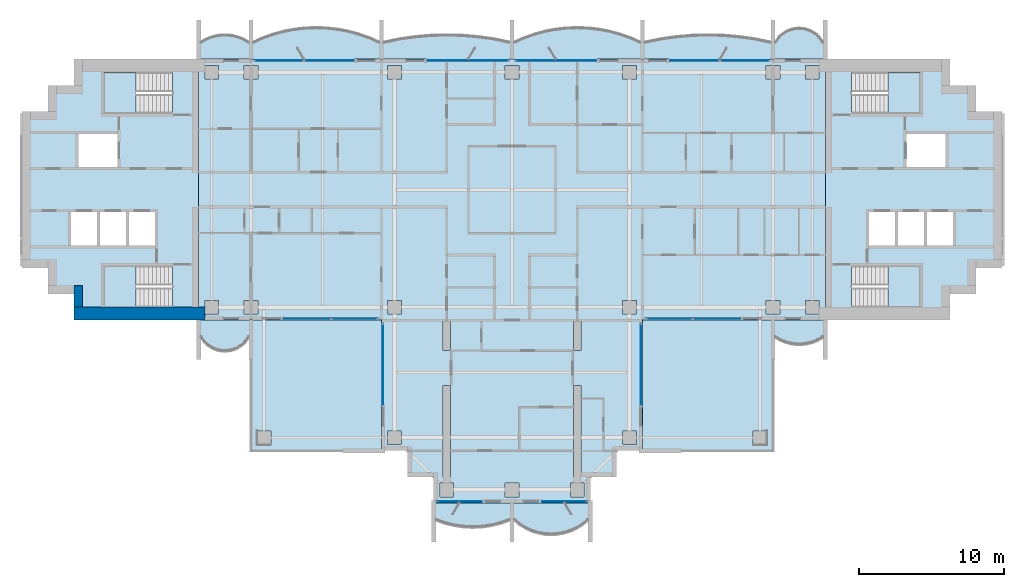
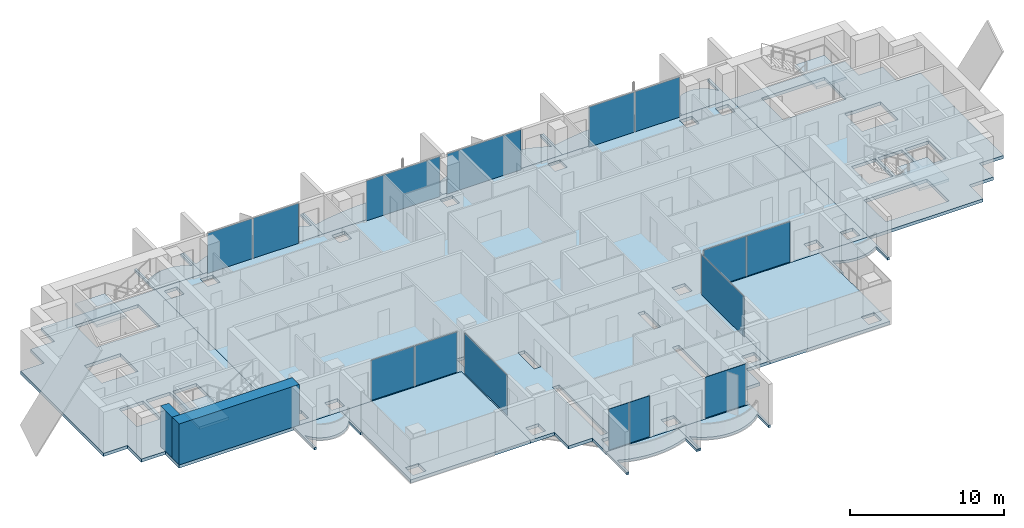
# One storey, part 7 of 17: 19 slabs, 14 plates, 2 walls, 14 elements without a shape of their own.
"""IFC4 building model written with IfcOpenShell, lengths in metres."""

import ifcopenshell
import ifcopenshell.guid

model = None  # the IFC model being written
_history = None  # IfcOwnerHistory: only IFC2X3 demands one
_inside = {}  # id of a spatial element -> (the spatial element, [elements in it])
_under = {}  # id of a project, library or spatial element -> (it, [spatial elements below it])
_declared = {}  # id of a project -> (the project, [libraries it declares])
_typed = {}  # id of a type object -> (the type object, [elements of that type])
_made_of = {}  # id of a material, layer set ... -> (it, [elements and type objects made of it])


def new_model(schema):
    """Start an empty IFC model of exactly this schema.

    Asked for "IFC4X3", IfcOpenShell would pick the latest addendum, in which some entities
    have other attributes; the version numbers below select the first issue.
    IFC2X3 requires an IfcOwnerHistory on every rooted entity: one is made here for all.
    """
    global model, _history
    if schema == "IFC4X3":
        model = ifcopenshell.file(schema_version=(4, 3, 0, 0))
    else:
        model = ifcopenshell.file(schema=schema)
    _inside.clear()
    _under.clear()
    _declared.clear()
    _typed.clear()
    _made_of.clear()
    _history = None
    if model.schema == "IFC2X3":
        org = make("IfcOrganization", Name="unknown")
        user = make(
            "IfcPersonAndOrganization",
            ThePerson=make("IfcPerson", FamilyName="unknown"),
            TheOrganization=org,
        )
        app = make(
            "IfcApplication",
            ApplicationDeveloper=org,
            Version="unknown",
            ApplicationFullName="unknown",
            ApplicationIdentifier="unknown",
        )
        _history = make(
            "IfcOwnerHistory",
            OwningUser=user,
            OwningApplication=app,
            ChangeAction="ADDED",
            CreationDate=0,
        )
    return model


def make(cls, **values):
    """One entity of the class cls with the attributes given. An attribute that is None is left unset."""
    return model.create_entity(
        cls, **{name: value for name, value in values.items() if value is not None}
    )


def rooted(cls, **values):
    """An entity with a GlobalId (a new one), such as an element, a storey or a relation."""
    return make(cls, GlobalId=ifcopenshell.guid.new(), OwnerHistory=_history, **values)


def si_unit(unit_type, name, prefix=None):
    """IfcSIUnit, for example si_unit("LENGTHUNIT", "METRE", prefix="MILLI")."""
    return make("IfcSIUnit", UnitType=unit_type, Prefix=prefix, Name=name)


def assignment(units):
    """IfcUnitAssignment: the units of a project."""
    return None if units is None else make("IfcUnitAssignment", Units=units)


def point(xyz):
    """IfcCartesianPoint."""
    return None if xyz is None else make("IfcCartesianPoint", Coordinates=xyz)


def direction(xyz):
    """IfcDirection."""
    return None if xyz is None else make("IfcDirection", DirectionRatios=xyz)


def frame(location, z_axis=None, x_axis=None):
    """IfcAxis2Placement3D, a coordinate frame: its origin and axes. An axis left out is left unset."""
    return make(
        "IfcAxis2Placement3D",
        Location=point(location),
        Axis=direction(z_axis),
        RefDirection=direction(x_axis),
    )


def frame_2d(location, x_axis=None):
    """IfcAxis2Placement2D, a coordinate frame in the plane: its origin and x axis."""
    return make(
        "IfcAxis2Placement2D", Location=point(location), RefDirection=direction(x_axis)
    )


def origin():
    """The frame at (0, 0, 0) with its axes left unset."""
    return frame((0.0, 0.0, 0.0))


def origin_2d():
    """The frame at (0, 0) in the plane with its x axis left unset."""
    return frame_2d((0.0, 0.0))


def place(relative_to, where):
    """IfcLocalPlacement: puts the frame where relative to a parent placement (None: the world)."""
    return make(
        "IfcLocalPlacement", PlacementRelTo=relative_to, RelativePlacement=where
    )


def context(
    kind, dimensions, precision=None, world=None, true_north=None, identifier=None
):
    """IfcGeometricRepresentationContext, for example the 3D "Model" context."""
    return make(
        "IfcGeometricRepresentationContext",
        ContextIdentifier=identifier,
        ContextType=kind,
        CoordinateSpaceDimension=dimensions,
        Precision=precision,
        WorldCoordinateSystem=world,
        TrueNorth=true_north,
    )


def subcontext(parent, identifier, kind, view, scale=None):
    """IfcGeometricRepresentationSubContext, for example "Body" below "Model"."""
    return make(
        "IfcGeometricRepresentationSubContext",
        ContextIdentifier=identifier,
        ContextType=kind,
        ParentContext=parent,
        TargetScale=scale,
        TargetView=view,
    )


def project(units=None, contexts=None):
    """IfcProject with its units and contexts."""
    return rooted(
        "IfcProject",
        Name="project",
        RepresentationContexts=contexts,
        UnitsInContext=assignment(units),
    )


def spatial(cls, under=None, at=None, **own):
    """A site, building, storey or space (cls), placed at a placement, below another one or the project."""
    s = rooted(cls, ObjectPlacement=at, **own)
    if under is not None:
        _under.setdefault(under.id(), (under, []))[1].append(s)
    return s


def polyline(points):
    """IfcPolyline through the points."""
    return make("IfcPolyline", Points=[point(p) for p in points])


def profile(cls, at=None, kind="AREA", **sizes):
    """A parametric profile (cls). Its sizes go by their IFC names, for example OverallWidth=200.0."""
    return make(cls, ProfileType=kind, Position=at, **sizes)


def rectangle(**sizes):
    """IfcRectangleProfileDef."""
    return profile("IfcRectangleProfileDef", **sizes)


def outline(outer, holes=None, kind="AREA"):
    """IfcArbitraryClosedProfileDef: a profile drawn as a closed curve; with holes, ...WithVoids."""
    if holes is None:
        return make("IfcArbitraryClosedProfileDef", ProfileType=kind, OuterCurve=outer)
    return make(
        "IfcArbitraryProfileDefWithVoids",
        ProfileType=kind,
        OuterCurve=outer,
        InnerCurves=holes,
    )


def extrude(swept, where, along, depth):
    """IfcExtrudedAreaSolid: the profile swept, set in the frame where, extruded along a direction by depth."""
    return make(
        "IfcExtrudedAreaSolid",
        SweptArea=swept,
        Position=where,
        ExtrudedDirection=direction(along),
        Depth=depth,
    )


def shape(context_of_items, identifier, shape_type, items):
    """IfcShapeRepresentation: the items that make up one representation, for example the "Body"."""
    return make(
        "IfcShapeRepresentation",
        ContextOfItems=context_of_items,
        RepresentationIdentifier=identifier,
        RepresentationType=shape_type,
        Items=items,
    )


def material(Name=None, Category=None):
    """IfcMaterial."""
    return make("IfcMaterial", Name=Name, Category=Category)


def layer(
    of_material, thickness, ventilated=None, Name=None, Category=None, Priority=None
):
    """IfcMaterialLayer: one layer of a wall or slab, of a material (None: an air gap)."""
    return make(
        "IfcMaterialLayer",
        Material=of_material,
        LayerThickness=thickness,
        IsVentilated=ventilated,
        Name=Name,
        Category=Category,
        Priority=Priority,
    )


def layer_set(layers, Name=None):
    """IfcMaterialLayerSet."""
    return make("IfcMaterialLayerSet", MaterialLayers=layers, LayerSetName=Name)


def made_of(thing, what):
    """Note that an element or type object is made of a material, layer set ...; save() writes the relation."""
    if what is not None:
        _made_of.setdefault(what.id(), (what, []))[1].append(thing)
    return thing


def type_object(cls, material=None, **own):
    """A type object (cls), such as IfcWallType, which elements share."""
    return made_of(rooted(cls, **own), material)


def element(
    cls,
    number,
    at=None,
    inside=None,
    cuts=None,
    type_object=None,
    material=None,
    context=None,
    identifier="Body",
    shape_type=None,
    held_by="IfcProductDefinitionShape",
    body=None,
    shapes=None,
    **own,
):
    """One element of the class cls, such as IfcWall. Its Tag is "e" and its number.

    at: its placement. inside: the storey or other place that contains it. cuts: it is an
    opening in that element (IfcRelVoidsElement). A single representation is given by context,
    identifier, shape_type and body (its items); several are given by shapes. held_by: the class
    of the entity that holds the representations. save() writes the other relations.
    """
    e = rooted(cls, Tag="e%d" % number, ObjectPlacement=at, **own)
    if body is not None:
        shapes = [shape(context, identifier, shape_type, body)]
    if shapes is not None:
        e.Representation = make(held_by, Representations=shapes)
    if inside is not None:
        _inside.setdefault(inside.id(), (inside, []))[1].append(e)
    if cuts is not None:
        rooted(
            "IfcRelVoidsElement", RelatingBuildingElement=cuts, RelatedOpeningElement=e
        )
    if type_object is not None:
        _typed.setdefault(type_object.id(), (type_object, []))[1].append(e)
    return made_of(e, material)


def aggregate(whole, parts):
    """IfcRelAggregates: a whole, such as a stair, and the parts it consists of."""
    return rooted("IfcRelAggregates", RelatingObject=whole, RelatedObjects=parts)


def save(model, path):
    """Write the relations noted so far, then the file.

    IfcRelAggregates (storeys below a building ...), IfcRelContainedInSpatialStructure (elements
    in a storey), IfcRelDefinesByType, IfcRelAssociatesMaterial and IfcRelDeclares: one each for
    every whole, place, type object, material and project.
    """
    for whole, parts in _under.values():
        aggregate(whole, parts)
    for where, things in _inside.values():
        rooted(
            "IfcRelContainedInSpatialStructure",
            RelatedElements=things,
            RelatingStructure=where,
        )
    for kind, things in _typed.values():
        rooted("IfcRelDefinesByType", RelatedObjects=things, RelatingType=kind)
    for what, things in _made_of.values():
        rooted("IfcRelAssociatesMaterial", RelatedObjects=things, RelatingMaterial=what)
    for by, libraries in _declared.values():
        rooted("IfcRelDeclares", RelatingContext=by, RelatedDefinitions=libraries)
    model.write(path)


model = new_model("IFC4")

# Units and contexts
model_context = context("Model", 3, precision=1e-05, world=origin(), true_north=direction((0.0, 1.0)))
body_context = subcontext(model_context, "Body", "Model", "MODEL_VIEW")
ifc_project = project(units=[si_unit("LENGTHUNIT", "METRE"), si_unit("AREAUNIT", "SQUARE_METRE"), si_unit("VOLUMEUNIT", "CUBIC_METRE"), si_unit("PLANEANGLEUNIT", "RADIAN"), si_unit("MASSUNIT", "GRAM", prefix="KILO")], contexts=[model_context])

# Site, building, storey
site_placement = place(None, origin())
site = spatial("IfcSite", under=ifc_project, at=site_placement, CompositionType="ELEMENT")
building_placement = place(site_placement, origin())
building = spatial("IfcBuilding", under=site, at=building_placement, Name="Perihelion Cross Residences", CompositionType="ELEMENT")
storey_placement = place(building_placement, frame((0.0, 0.0, 180.60009765625)))
storey = spatial("IfcBuildingStorey", under=building, at=storey_placement, Name="L44", CompositionType="ELEMENT", Elevation=180.60009765625)

# Slabs
ifc_material_1 = material(Name="Concrete C40/50", Category="concrete")
ifc_layer_1 = layer(ifc_material_1, 0.199951171875)
ifc_layer_set_1 = layer_set([ifc_layer_1], Name="Balcony slab 200")
slab_type_1 = type_object("IfcSlabType", Name="Balcony slab 200", PredefinedType="FLOOR", material=ifc_layer_set_1)
slab_1_placement = place(storey_placement, frame((0.0, 0.0, -0.2001953125)))
element("IfcSlab", 1, at=slab_1_placement, inside=storey, type_object=slab_type_1, Name="Slab BK1 L44 east side north bay 1 balcony", PredefinedType="FLOOR", context=body_context, shape_type="SweptSolid", body=[
    extrude(outline(polyline([(21.60009765625, 9.0), (18.0, 9.0), (18.0, 11.699951171875), (18.14990234375, 11.699951171875), (18.14990234375, 10.199951171875), (18.425048828125, 10.568603515625), (18.699951171875, 10.806396484375), (18.97509765625, 10.96875), (19.25, 11.07568359375), (19.52490234375, 11.136962890625), (19.800048828125, 11.156982421875), (20.074951171875, 11.136962890625), (20.35009765625, 11.07568359375), (20.625, 10.96875), (20.89990234375, 10.806396484375), (21.175048828125, 10.568603515625), (21.449951171875, 10.199951171875), (21.449951171875, 11.699951171875), (21.60009765625, 11.699951171875), (21.60009765625, 9.0)])), origin(), (0.0, 0.0, 1.0), 0.2001953125),
])
slab_2_placement = place(storey_placement, frame((0.0, 0.0, -0.2001953125)))
element("IfcSlab", 2, at=slab_2_placement, inside=storey, type_object=slab_type_1, Name="Slab BK1 L44 east side north bay 2 balcony", PredefinedType="FLOOR", context=body_context, shape_type="SweptSolid", body=[
    extrude(outline(polyline([(18.0, 9.0), (9.0, 9.0), (9.0, 11.699951171875), (9.14990234375, 11.699951171875), (9.14990234375, 10.199951171875), (10.237548828125, 10.42041015625), (11.324951171875, 10.576171875), (12.41259765625, 10.669189453125), (13.5, 10.699951171875), (14.58740234375, 10.669189453125), (15.675048828125, 10.576171875), (16.762451171875, 10.42041015625), (17.85009765625, 10.199951171875), (17.85009765625, 11.699951171875), (18.0, 11.699951171875), (18.0, 9.0)])), origin(), (0.0, 0.0, 1.0), 0.2001953125),
])
slab_3_placement = place(storey_placement, frame((0.0, 0.0, -0.2001953125)))
element("IfcSlab", 3, at=slab_3_placement, inside=storey, type_object=slab_type_1, Name="Slab BK1 L44 north side east bay 1 balcony", PredefinedType="FLOOR", context=body_context, shape_type="SweptSolid", body=[
    extrude(outline(polyline([(9.0, 9.0), (0.0, 9.0), (0.0, 11.699951171875), (0.14990234375, 11.699951171875), (0.14990234375, 10.199951171875), (0.875, 10.51708984375), (1.60009765625, 10.7685546875), (2.324951171875, 10.959716796875), (3.050048828125, 11.093994140625), (3.77490234375, 11.173583984375), (4.5, 11.199951171875), (5.22509765625, 11.173583984375), (5.949951171875, 11.093994140625), (6.675048828125, 10.959716796875), (7.39990234375, 10.7685546875), (8.125, 10.51708984375), (8.85009765625, 10.199951171875), (8.85009765625, 11.699951171875), (9.0, 11.699951171875), (9.0, 9.0)])), origin(), (0.0, 0.0, 1.0), 0.2001953125),
])
slab_4_placement = place(storey_placement, frame((0.0, 0.0, -0.2001953125)))
element("IfcSlab", 4, at=slab_4_placement, inside=storey, type_object=slab_type_1, Name="Slab BK1 L44 north side east bay 2 balcony", PredefinedType="FLOOR", context=body_context, shape_type="SweptSolid", body=[
    extrude(outline(polyline([(0.0, 9.0), (-9.0, 9.0), (-9.0, 11.699951171875), (-8.85009765625, 11.699951171875), (-8.85009765625, 10.199951171875), (-7.762451171875, 10.42041015625), (-6.675048828125, 10.576171875), (-5.58740234375, 10.669189453125), (-4.5, 10.699951171875), (-3.41259765625, 10.669189453125), (-2.324951171875, 10.576171875), (-1.237548828125, 10.42041015625), (-0.14990234375, 10.199951171875), (-0.14990234375, 11.699951171875), (0.0, 11.699951171875), (0.0, 9.0)])), origin(), (0.0, 0.0, 1.0), 0.2001953125),
])
slab_5_placement = place(storey_placement, frame((0.0, 0.0, -0.2001953125)))
element("IfcSlab", 5, at=slab_5_placement, inside=storey, type_object=slab_type_1, Name="Slab BK1 L44 west side north bay 1 balcony", PredefinedType="FLOOR", context=body_context, shape_type="SweptSolid", body=[
    extrude(outline(polyline([(-9.0, 9.0), (-18.0, 9.0), (-18.0, 11.699951171875), (-17.85009765625, 11.699951171875), (-17.85009765625, 10.199951171875), (-17.125, 10.51708984375), (-16.39990234375, 10.7685546875), (-15.675048828125, 10.959716796875), (-14.949951171875, 11.093994140625), (-14.22509765625, 11.173583984375), (-13.5, 11.199951171875), (-12.77490234375, 11.173583984375), (-12.050048828125, 11.093994140625), (-11.324951171875, 10.959716796875), (-10.60009765625, 10.7685546875), (-9.875, 10.51708984375), (-9.14990234375, 10.199951171875), (-9.14990234375, 11.699951171875), (-9.0, 11.699951171875), (-9.0, 9.0)])), origin(), (0.0, 0.0, 1.0), 0.2001953125),
])
slab_6_placement = place(storey_placement, frame((0.0, 0.0, -0.2001953125)))
element("IfcSlab", 6, at=slab_6_placement, inside=storey, type_object=slab_type_1, Name="Slab BK1 L44 west side north bay 2 balcony", PredefinedType="FLOOR", context=body_context, shape_type="SweptSolid", body=[
    extrude(outline(polyline([(-18.0, 9.0), (-21.60009765625, 9.0), (-21.60009765625, 11.699951171875), (-21.449951171875, 11.699951171875), (-21.449951171875, 10.199951171875), (-21.083251953125, 10.40869140625), (-20.716552734375, 10.55517578125), (-20.35009765625, 10.648681640625), (-19.9833984375, 10.6943359375), (-19.61669921875, 10.6943359375), (-19.25, 10.648681640625), (-18.88330078125, 10.55517578125), (-18.5166015625, 10.40869140625), (-18.14990234375, 10.199951171875), (-18.14990234375, 11.699951171875), (-18.0, 11.699951171875), (-18.0, 9.0)])), origin(), (0.0, 0.0, 1.0), 0.2001953125),
])
slab_7_placement = place(storey_placement, frame((0.0, 0.0, -0.2001953125)))
element("IfcSlab", 7, at=slab_7_placement, inside=storey, type_object=slab_type_1, Name="Slab BK1 L44 west side south bay 1 balcony", PredefinedType="FLOOR", context=body_context, shape_type="SweptSolid", body=[
    extrude(outline(polyline([(-21.60009765625, -9.0), (-18.0, -9.0), (-18.0, -11.699951171875), (-18.14990234375, -11.699951171875), (-18.14990234375, -10.199951171875), (-18.425048828125, -10.568603515625), (-18.699951171875, -10.806396484375), (-18.97509765625, -10.96875), (-19.25, -11.07568359375), (-19.52490234375, -11.136962890625), (-19.800048828125, -11.156982421875), (-20.074951171875, -11.136962890625), (-20.35009765625, -11.07568359375), (-20.625, -10.96875), (-20.89990234375, -10.806396484375), (-21.175048828125, -10.568603515625), (-21.449951171875, -10.199951171875), (-21.449951171875, -11.699951171875), (-21.60009765625, -11.699951171875), (-21.60009765625, -9.0)])), origin(), (0.0, 0.0, 1.0), 0.2001953125),
])
slab_8_placement = place(storey_placement, frame((0.0, 0.0, -0.2001953125)))
element("IfcSlab", 8, at=slab_8_placement, inside=storey, type_object=slab_type_1, Name="Slab BK1 L44 south tip south bay 1 balcony", PredefinedType="FLOOR", context=body_context, shape_type="SweptSolid", body=[
    extrude(outline(polyline([(-5.39990234375, -21.60009765625), (0.0, -21.60009765625), (0.0, -24.300048828125), (-0.14990234375, -24.300048828125), (-0.14990234375, -22.800048828125), (-0.78759765625, -23.0234375), (-1.425048828125, -23.178466796875), (-2.0625, -23.269775390625), (-2.699951171875, -23.300048828125), (-3.33740234375, -23.269775390625), (-3.97509765625, -23.178466796875), (-4.612548828125, -23.0234375), (-5.25, -22.800048828125), (-5.25, -24.300048828125), (-5.39990234375, -24.300048828125), (-5.39990234375, -21.60009765625)])), origin(), (0.0, 0.0, 1.0), 0.2001953125),
])
slab_9_placement = place(storey_placement, frame((0.0, 0.0, -0.2001953125)))
element("IfcSlab", 9, at=slab_9_placement, inside=storey, type_object=slab_type_1, Name="Slab BK1 L44 south tip south bay 2 balcony", PredefinedType="FLOOR", context=body_context, shape_type="SweptSolid", body=[
    extrude(outline(polyline([(0.0, -21.60009765625), (5.39990234375, -21.60009765625), (5.39990234375, -24.300048828125), (5.25, -24.300048828125), (5.25, -22.800048828125), (4.824951171875, -23.14013671875), (4.39990234375, -23.392578125), (3.97509765625, -23.57666015625), (3.550048828125, -23.702392578125), (3.125, -23.77587890625), (2.699951171875, -23.800048828125), (2.27490234375, -23.77587890625), (1.85009765625, -23.702392578125), (1.425048828125, -23.57666015625), (1.0, -23.392578125), (0.574951171875, -23.14013671875), (0.14990234375, -22.800048828125), (0.14990234375, -24.300048828125), (0.0, -24.300048828125), (0.0, -21.60009765625)])), origin(), (0.0, 0.0, 1.0), 0.2001953125),
])
slab_10_placement = place(storey_placement, frame((0.0, 0.0, -0.2001953125)))
element("IfcSlab", 10, at=slab_10_placement, inside=storey, type_object=slab_type_1, Name="Slab BK1 L44 east side south bay 2 balcony", PredefinedType="FLOOR", context=body_context, shape_type="SweptSolid", body=[
    extrude(outline(polyline([(18.0, -9.0), (21.60009765625, -9.0), (21.60009765625, -11.699951171875), (21.449951171875, -11.699951171875), (21.449951171875, -10.199951171875), (21.083251953125, -10.40869140625), (20.716552734375, -10.55517578125), (20.35009765625, -10.648681640625), (19.9833984375, -10.6943359375), (19.61669921875, -10.6943359375), (19.25, -10.648681640625), (18.88330078125, -10.55517578125), (18.5166015625, -10.40869140625), (18.14990234375, -10.199951171875), (18.14990234375, -11.699951171875), (18.0, -11.699951171875), (18.0, -9.0)])), origin(), (0.0, 0.0, 1.0), 0.2001953125),
])

# Curtain wall, plates
ifc_material_2 = material(Name="Bronze anodised aluminium, tinted glazing", Category="aluminium")
curtain_wall_type = type_object("IfcCurtainWallType", Name="CW1", PredefinedType="NOTDEFINED", material=ifc_material_2)
curtain_wall_1_placement = place(storey_placement, origin())
curtain_wall_1 = element("IfcCurtainWall", 11, at=curtain_wall_1_placement, inside=storey, type_object=curtain_wall_type, Name="Curtain wall CW1 L44 east side north bay 2", PredefinedType="NOTDEFINED")
ifc_material_3 = material(Name="Tinted laminated glass", Category="glass")
ifc_layer_2 = layer(ifc_material_3, 0.028076171875)
ifc_layer_set_2 = layer_set([ifc_layer_2], Name="CW1 panel")
plate_type = type_object("IfcPlateType", Name="CW1 panel", PredefinedType="CURTAIN_PANEL", material=ifc_layer_set_2)
plate_1_placement = place(storey_placement, frame((16.06005859375, 8.89990234375, 0.0), z_axis=(0.0, 0.0, 1.0), x_axis=(-1.0, 0.0, 0.0)))
plate_1 = element("IfcPlate", 12, at=plate_1_placement, type_object=plate_type, Name="CW1 panel 1", PredefinedType="CURTAIN_PANEL", context=body_context, shape_type="SweptSolid", body=[
    extrude(rectangle(XDim=3.360107421875, YDim=0.028076171875, at=origin_2d()), origin(), (0.0, 0.0, 1.0), 3.18994140625),
])
plate_2_placement = place(storey_placement, frame((12.610107421875, 8.89990234375, 0.0), z_axis=(0.0, 0.0, 1.0), x_axis=(-1.0, 0.0, 0.0)))
plate_2 = element("IfcPlate", 13, at=plate_2_placement, type_object=plate_type, Name="CW1 panel 2", PredefinedType="CURTAIN_PANEL", context=body_context, shape_type="SweptSolid", body=[
    extrude(rectangle(XDim=3.419921875, YDim=0.028076171875, at=origin_2d()), origin(), (0.0, 0.0, 1.0), 3.18994140625),
])
aggregate(curtain_wall_1, [plate_1, plate_2])

# Curtain wall, plate
curtain_wall_2_placement = place(storey_placement, origin())
curtain_wall_2 = element("IfcCurtainWall", 14, at=curtain_wall_2_placement, inside=storey, type_object=curtain_wall_type, Name="Curtain wall CW1 L44 north side east bay 1", PredefinedType="NOTDEFINED")
plate_3_placement = place(storey_placement, frame((3.04248046875, 8.89990234375, 0.0), z_axis=(0.0, 0.0, 1.0), x_axis=(-1.0, 0.0, 0.0)))
plate_3 = element("IfcPlate", 15, at=plate_3_placement, type_object=plate_type, Name="CW1 panel 1", PredefinedType="CURTAIN_PANEL", context=body_context, shape_type="SweptSolid", body=[
    extrude(rectangle(XDim=5.56494140625, YDim=0.028076171875, at=origin_2d()), origin(), (0.0, 0.0, 1.0), 3.18994140625),
])
aggregate(curtain_wall_2, [plate_3])

curtain_wall_3_placement = place(storey_placement, origin())
curtain_wall_3 = element("IfcCurtainWall", 16, at=curtain_wall_3_placement, inside=storey, type_object=curtain_wall_type, Name="Curtain wall CW1 L44 north side east bay 2", PredefinedType="NOTDEFINED")
plate_4_placement = place(storey_placement, frame((-3.04248046875, 8.89990234375, 0.0), z_axis=(0.0, 0.0, 1.0), x_axis=(-1.0, 0.0, 0.0)))
plate_4 = element("IfcPlate", 17, at=plate_4_placement, type_object=plate_type, Name="CW1 panel 1", PredefinedType="CURTAIN_PANEL", context=body_context, shape_type="SweptSolid", body=[
    extrude(rectangle(XDim=5.56494140625, YDim=0.028076171875, at=origin_2d()), origin(), (0.0, 0.0, 1.0), 3.18994140625),
])
aggregate(curtain_wall_3, [plate_4])

# Curtain wall, plates
curtain_wall_4_placement = place(storey_placement, origin())
curtain_wall_4 = element("IfcCurtainWall", 18, at=curtain_wall_4_placement, inside=storey, type_object=curtain_wall_type, Name="Curtain wall CW1 L44 west side north bay 1", PredefinedType="NOTDEFINED")
plate_5_placement = place(storey_placement, frame((-12.610107421875, 8.89990234375, 0.0), z_axis=(0.0, 0.0, 1.0), x_axis=(-1.0, 0.0, 0.0)))
plate_5 = element("IfcPlate", 19, at=plate_5_placement, type_object=plate_type, Name="CW1 panel 1", PredefinedType="CURTAIN_PANEL", context=body_context, shape_type="SweptSolid", body=[
    extrude(rectangle(XDim=3.419921875, YDim=0.028076171875, at=origin_2d()), origin(), (0.0, 0.0, 1.0), 3.18994140625),
])
plate_6_placement = place(storey_placement, frame((-16.06005859375, 8.89990234375, 0.0), z_axis=(0.0, 0.0, 1.0), x_axis=(-1.0, 0.0, 0.0)))
plate_6 = element("IfcPlate", 20, at=plate_6_placement, type_object=plate_type, Name="CW1 panel 2", PredefinedType="CURTAIN_PANEL", context=body_context, shape_type="SweptSolid", body=[
    extrude(rectangle(XDim=3.360107421875, YDim=0.028076171875, at=origin_2d()), origin(), (0.0, 0.0, 1.0), 3.18994140625),
])
aggregate(curtain_wall_4, [plate_5, plate_6])

curtain_wall_5_placement = place(storey_placement, origin())
curtain_wall_5 = element("IfcCurtainWall", 21, at=curtain_wall_5_placement, inside=storey, type_object=curtain_wall_type, Name="Curtain wall CW1 L44 west side south bay 2", PredefinedType="NOTDEFINED")
plate_7_placement = place(storey_placement, frame((-14.108642578125, -8.89990234375, 0.0), z_axis=(0.0, 0.0, 1.0), x_axis=(1.0, 0.0, 0.0)))
plate_7 = element("IfcPlate", 22, at=plate_7_placement, type_object=plate_type, Name="CW1 panel 1", PredefinedType="CURTAIN_PANEL", context=body_context, shape_type="SweptSolid", body=[
    extrude(rectangle(XDim=3.232421875, YDim=0.028076171875, at=origin_2d()), origin(), (0.0, 0.0, 1.0), 3.18994140625),
])
plate_8_placement = place(storey_placement, frame((-10.84619140625, -8.89990234375, 0.0), z_axis=(0.0, 0.0, 1.0), x_axis=(1.0, 0.0, 0.0)))
plate_8 = element("IfcPlate", 23, at=plate_8_placement, type_object=plate_type, Name="CW1 panel 2", PredefinedType="CURTAIN_PANEL", context=body_context, shape_type="SweptSolid", body=[
    extrude(rectangle(XDim=3.172607421875, YDim=0.028076171875, at=origin_2d()), origin(), (0.0, 0.0, 1.0), 3.18994140625),
])
aggregate(curtain_wall_5, [plate_7, plate_8])

# Curtain wall, plate
curtain_wall_6_placement = place(storey_placement, origin())
curtain_wall_6 = element("IfcCurtainWall", 24, at=curtain_wall_6_placement, inside=storey, type_object=curtain_wall_type, Name="Curtain wall CW1 L44 south side west bay 1", PredefinedType="NOTDEFINED")
plate_9_placement = place(storey_placement, frame((-8.89990234375, -12.04248046875, 0.0), z_axis=(0.0, 0.0, 1.0), x_axis=(0.0, -1.0, 0.0)))
plate_9 = element("IfcPlate", 25, at=plate_9_placement, type_object=plate_type, Name="CW1 panel 1", PredefinedType="CURTAIN_PANEL", context=body_context, shape_type="SweptSolid", body=[
    extrude(rectangle(XDim=5.56494140625, YDim=0.028076171875, at=origin_2d()), origin(), (0.0, 0.0, 1.0), 3.18994140625),
])
aggregate(curtain_wall_6, [plate_9])

curtain_wall_7_placement = place(storey_placement, origin())
curtain_wall_7 = element("IfcCurtainWall", 26, at=curtain_wall_7_placement, inside=storey, type_object=curtain_wall_type, Name="Curtain wall CW1 L44 south tip south bay 1", PredefinedType="NOTDEFINED")
plate_10_placement = place(storey_placement, frame((-3.607421875, -21.5, 0.0), z_axis=(0.0, 0.0, 1.0), x_axis=(1.0, 0.0, 0.0)))
plate_10 = element("IfcPlate", 27, at=plate_10_placement, type_object=plate_type, Name="CW1 panel 1", PredefinedType="CURTAIN_PANEL", context=body_context, shape_type="SweptSolid", body=[
    extrude(rectangle(XDim=3.06494140625, YDim=0.028076171875, at=origin_2d()), origin(), (0.0, 0.0, 1.0), 3.25),
])
aggregate(curtain_wall_7, [plate_10])

curtain_wall_8_placement = place(storey_placement, origin())
curtain_wall_8 = element("IfcCurtainWall", 28, at=curtain_wall_8_placement, inside=storey, type_object=curtain_wall_type, Name="Curtain wall CW1 L44 south tip south bay 2", PredefinedType="NOTDEFINED")
plate_11_placement = place(storey_placement, frame((3.607421875, -21.5, 0.0), z_axis=(0.0, 0.0, 1.0), x_axis=(1.0, 0.0, 0.0)))
plate_11 = element("IfcPlate", 29, at=plate_11_placement, type_object=plate_type, Name="CW1 panel 1", PredefinedType="CURTAIN_PANEL", context=body_context, shape_type="SweptSolid", body=[
    extrude(rectangle(XDim=3.06494140625, YDim=0.028076171875, at=origin_2d()), origin(), (0.0, 0.0, 1.0), 3.25),
])
aggregate(curtain_wall_8, [plate_11])

curtain_wall_9_placement = place(storey_placement, origin())
curtain_wall_9 = element("IfcCurtainWall", 30, at=curtain_wall_9_placement, inside=storey, type_object=curtain_wall_type, Name="Curtain wall CW1 L44 south side east bay 1", PredefinedType="NOTDEFINED")
plate_12_placement = place(storey_placement, frame((8.89990234375, -12.04248046875, 0.0), z_axis=(0.0, 0.0, 1.0), x_axis=(0.0, 1.0, 0.0)))
plate_12 = element("IfcPlate", 31, at=plate_12_placement, type_object=plate_type, Name="CW1 panel 1", PredefinedType="CURTAIN_PANEL", context=body_context, shape_type="SweptSolid", body=[
    extrude(rectangle(XDim=5.56494140625, YDim=0.028076171875, at=origin_2d()), origin(), (0.0, 0.0, 1.0), 3.18994140625),
])
aggregate(curtain_wall_9, [plate_12])

# Curtain wall, plates
curtain_wall_10_placement = place(storey_placement, origin())
curtain_wall_10 = element("IfcCurtainWall", 32, at=curtain_wall_10_placement, inside=storey, type_object=curtain_wall_type, Name="Curtain wall CW1 L44 east side south bay 1", PredefinedType="NOTDEFINED")
plate_13_placement = place(storey_placement, frame((10.84619140625, -8.89990234375, 0.0), z_axis=(0.0, 0.0, 1.0), x_axis=(1.0, 0.0, 0.0)))
plate_13 = element("IfcPlate", 33, at=plate_13_placement, type_object=plate_type, Name="CW1 panel 1", PredefinedType="CURTAIN_PANEL", context=body_context, shape_type="SweptSolid", body=[
    extrude(rectangle(XDim=3.172607421875, YDim=0.028076171875, at=origin_2d()), origin(), (0.0, 0.0, 1.0), 3.18994140625),
])
plate_14_placement = place(storey_placement, frame((14.108642578125, -8.89990234375, 0.0), z_axis=(0.0, 0.0, 1.0), x_axis=(1.0, 0.0, 0.0)))
plate_14 = element("IfcPlate", 34, at=plate_14_placement, type_object=plate_type, Name="CW1 panel 2", PredefinedType="CURTAIN_PANEL", context=body_context, shape_type="SweptSolid", body=[
    extrude(rectangle(XDim=3.232421875, YDim=0.028076171875, at=origin_2d()), origin(), (0.0, 0.0, 1.0), 3.18994140625),
])
aggregate(curtain_wall_10, [plate_13, plate_14])

# Slabs
ifc_material_4 = material(Name="Concrete C40/50", Category="concrete")
ifc_layer_3 = layer(ifc_material_4, 0.25)
ifc_layer_set_3 = layer_set([ifc_layer_3], Name="Core floor slab 250")
slab_type_2 = type_object("IfcSlabType", Name="Core floor slab 250", PredefinedType="FLOOR", material=ifc_layer_set_3)
slab_11_placement = place(storey_placement, frame((0.0, 0.0, -0.25)))
element("IfcSlab", 35, at=slab_11_placement, inside=storey, type_object=slab_type_2, Name="East core floor slab", PredefinedType="FLOOR", context=body_context, shape_type="SweptSolid", body=[
    extrude(outline(polyline([(30.199951171875, 7.199951171875), (32.0, 7.199951171875), (32.0, 5.39990234375), (33.800048828125, 5.39990234375), (33.800048828125, -5.39990234375), (32.0, -5.39990234375), (32.0, -7.199951171875), (30.199951171875, -7.199951171875), (30.199951171875, -9.0), (21.60009765625, -9.0), (21.60009765625, 9.0), (30.199951171875, 9.0), (30.199951171875, 7.199951171875)]), holes=[polyline([(28.14990234375, -8.10009765625), (28.14990234375, -5.25), (23.405029296875, -5.25), (23.405029296875, -8.10009765625), (28.14990234375, -8.10009765625)]), polyline([(24.60009765625, -1.550048828125), (24.60009765625, -3.85009765625), (26.39990234375, -3.85009765625), (26.39990234375, -1.550048828125), (24.60009765625, -1.550048828125)]), polyline([(26.60009765625, -1.550048828125), (26.60009765625, -3.85009765625), (28.39990234375, -3.85009765625), (28.39990234375, -1.550048828125), (26.60009765625, -1.550048828125)]), polyline([(28.60009765625, -3.85009765625), (30.39990234375, -3.85009765625), (30.39990234375, -1.550048828125), (28.60009765625, -1.550048828125), (28.60009765625, -3.85009765625)]), polyline([(27.199951171875, 3.85009765625), (27.199951171875, 1.550048828125), (29.89990234375, 1.550048828125), (29.89990234375, 3.85009765625), (27.199951171875, 3.85009765625)]), polyline([(23.405029296875, 5.25), (28.14990234375, 5.25), (28.14990234375, 8.10009765625), (23.405029296875, 8.10009765625), (23.405029296875, 5.25)])]), origin(), (0.0, 0.0, 1.0), 0.25),
])
slab_12_placement = place(storey_placement, frame((0.0, 0.0, -0.25)))
element("IfcSlab", 36, at=slab_12_placement, inside=storey, type_object=slab_type_2, Name="West core floor slab", PredefinedType="FLOOR", context=body_context, shape_type="SweptSolid", body=[
    extrude(outline(polyline([(-30.199951171875, 7.199951171875), (-32.0, 7.199951171875), (-32.0, 5.39990234375), (-33.800048828125, 5.39990234375), (-33.800048828125, -5.39990234375), (-32.0, -5.39990234375), (-32.0, -7.199951171875), (-30.199951171875, -7.199951171875), (-30.199951171875, -9.0), (-21.60009765625, -9.0), (-21.60009765625, 9.0), (-30.199951171875, 9.0), (-30.199951171875, 7.199951171875)]), holes=[polyline([(-28.14990234375, -8.10009765625), (-28.14990234375, -5.25), (-23.405029296875, -5.25), (-23.405029296875, -8.10009765625), (-28.14990234375, -8.10009765625)]), polyline([(-24.60009765625, -1.550048828125), (-24.60009765625, -3.85009765625), (-26.39990234375, -3.85009765625), (-26.39990234375, -1.550048828125), (-24.60009765625, -1.550048828125)]), polyline([(-26.60009765625, -1.550048828125), (-26.60009765625, -3.85009765625), (-28.39990234375, -3.85009765625), (-28.39990234375, -1.550048828125), (-26.60009765625, -1.550048828125)]), polyline([(-28.60009765625, -3.85009765625), (-30.39990234375, -3.85009765625), (-30.39990234375, -1.550048828125), (-28.60009765625, -1.550048828125), (-28.60009765625, -3.85009765625)]), polyline([(-27.199951171875, 3.85009765625), (-27.199951171875, 1.550048828125), (-29.89990234375, 1.550048828125), (-29.89990234375, 3.85009765625), (-27.199951171875, 3.85009765625)]), polyline([(-23.405029296875, 5.25), (-28.14990234375, 5.25), (-28.14990234375, 8.10009765625), (-23.405029296875, 8.10009765625), (-23.405029296875, 5.25)])]), origin(), (0.0, 0.0, 1.0), 0.25),
])
ifc_material_5 = material(Name="Concrete C40/50", Category="concrete")
ifc_layer_4 = layer(ifc_material_5, 0.25)
ifc_layer_set_4 = layer_set([ifc_layer_4], Name="Corner terrace slab")
slab_type_3 = type_object("IfcSlabType", Name="Corner terrace slab", PredefinedType="FLOOR", material=ifc_layer_set_4)
slab_13_placement = place(storey_placement, frame((0.0, 0.0, -0.25)))
element("IfcSlab", 37, at=slab_13_placement, inside=storey, type_object=slab_type_3, Name="Slab BK2 L44 pocket south-west", PredefinedType="FLOOR", context=body_context, shape_type="SweptSolid", body=[
    extrude(outline(polyline([(-9.0, -18.0), (-9.0, -9.0), (-18.0, -9.0), (-18.0, -18.0), (-9.0, -18.0)]), holes=[polyline([(-16.625, -17.614990234375), (-17.614990234375, -17.614990234375), (-17.614990234375, -16.5849609375), (-17.574951171875, -16.5849609375), (-17.574951171875, -16.625), (-16.625, -16.625), (-16.625, -17.614990234375)])]), origin(), (0.0, 0.0, 1.0), 0.25),
])
slab_14_placement = place(storey_placement, frame((0.0, 0.0, -0.25)))
element("IfcSlab", 38, at=slab_14_placement, inside=storey, type_object=slab_type_3, Name="Slab BK2 L44 pocket south-east", PredefinedType="FLOOR", context=body_context, shape_type="SweptSolid", body=[
    extrude(outline(polyline([(18.0, -18.0), (18.0, -9.0), (9.0, -9.0), (9.0, -18.0), (18.0, -18.0)]), holes=[polyline([(16.625, -17.614990234375), (16.625, -16.625), (17.574951171875, -16.625), (17.574951171875, -16.5849609375), (17.614990234375, -16.5849609375), (17.614990234375, -17.614990234375), (16.625, -17.614990234375)])]), origin(), (0.0, 0.0, 1.0), 0.25),
])

# Stair, slab
ifc_material_6 = material(Name="Concrete C40/50", Category="concrete")
stair_type = type_object("IfcStairType", Name="Exit stair, half-turn", PredefinedType="HALF_TURN_STAIR", material=ifc_material_6)
stair_1_placement = place(storey_placement, origin())
stair_1 = element("IfcStair", 39, at=stair_1_placement, inside=storey, type_object=stair_type, Name="L44 East core exit stair 1", PredefinedType="HALF_TURN_STAIR")
ifc_material_7 = material(Name="Concrete C40/50", Category="concrete")
ifc_layer_5 = layer(ifc_material_7, 0.199951171875)
ifc_layer_set_5 = layer_set([ifc_layer_5], Name="Exit stair landing 200")
slab_type_4 = type_object("IfcSlabType", Name="Exit stair landing 200", PredefinedType="LANDING", material=ifc_layer_set_5)
slab_15_placement = place(storey_placement, frame((0.0, 0.0, 1.5498046875)))
slab_15 = element("IfcSlab", 40, at=slab_15_placement, type_object=slab_type_4, Name="ST-E1 landing 1", PredefinedType="LANDING", context=body_context, shape_type="SweptSolid", body=[
    extrude(outline(polyline([(25.919921875, 5.25), (28.14990234375, 5.25), (28.14990234375, 8.10009765625), (25.919921875, 8.10009765625), (25.919921875, 5.25)])), origin(), (0.0, 0.0, 1.0), 0.2001953125),
])
aggregate(stair_1, [slab_15])

stair_2_placement = place(storey_placement, origin())
stair_2 = element("IfcStair", 41, at=stair_2_placement, inside=storey, type_object=stair_type, Name="L44 East core exit stair 2", PredefinedType="HALF_TURN_STAIR")
slab_16_placement = place(storey_placement, frame((0.0, 0.0, 1.5498046875)))
slab_16 = element("IfcSlab", 42, at=slab_16_placement, type_object=slab_type_4, Name="ST-E2 landing 1", PredefinedType="LANDING", context=body_context, shape_type="SweptSolid", body=[
    extrude(outline(polyline([(25.919921875, -8.10009765625), (28.14990234375, -8.10009765625), (28.14990234375, -5.25), (25.919921875, -5.25), (25.919921875, -8.10009765625)])), origin(), (0.0, 0.0, 1.0), 0.2001953125),
])
aggregate(stair_2, [slab_16])

stair_3_placement = place(storey_placement, origin())
stair_3 = element("IfcStair", 43, at=stair_3_placement, inside=storey, type_object=stair_type, Name="L44 West core exit stair 1", PredefinedType="HALF_TURN_STAIR")
slab_17_placement = place(storey_placement, frame((0.0, 0.0, 1.5498046875)))
slab_17 = element("IfcSlab", 44, at=slab_17_placement, type_object=slab_type_4, Name="ST-W1 landing 1", PredefinedType="LANDING", context=body_context, shape_type="SweptSolid", body=[
    extrude(outline(polyline([(-25.919921875, 8.10009765625), (-28.14990234375, 8.10009765625), (-28.14990234375, 5.25), (-25.919921875, 5.25), (-25.919921875, 8.10009765625)])), origin(), (0.0, 0.0, 1.0), 0.2001953125),
])
aggregate(stair_3, [slab_17])

stair_4_placement = place(storey_placement, origin())
stair_4 = element("IfcStair", 45, at=stair_4_placement, inside=storey, type_object=stair_type, Name="L44 West core exit stair 2", PredefinedType="HALF_TURN_STAIR")
slab_18_placement = place(storey_placement, frame((0.0, 0.0, 1.5498046875)))
slab_18 = element("IfcSlab", 46, at=slab_18_placement, type_object=slab_type_4, Name="ST-W2 landing 1", PredefinedType="LANDING", context=body_context, shape_type="SweptSolid", body=[
    extrude(outline(polyline([(-25.919921875, -5.25), (-28.14990234375, -5.25), (-28.14990234375, -8.10009765625), (-25.919921875, -8.10009765625), (-25.919921875, -5.25)])), origin(), (0.0, 0.0, 1.0), 0.2001953125),
])
aggregate(stair_4, [slab_18])

# Slab
ifc_material_8 = material(Name="Concrete C50/60", Category="concrete")
ifc_layer_6 = layer(ifc_material_8, 0.25)
ifc_layer_set_6 = layer_set([ifc_layer_6], Name="Residential floor post-tensioned slab concrete C50/60")
slab_type_5 = type_object("IfcSlabType", Name="Residential floor post-tensioned slab concrete C50/60", PredefinedType="FLOOR", material=ifc_layer_set_6)
slab_19_placement = place(storey_placement, frame((0.0, 0.0, -0.25)))
element("IfcSlab", 47, at=slab_19_placement, inside=storey, type_object=slab_type_5, Name="Slab SL8 L44 1 no. 1", PredefinedType="FLOOR", context=body_context, shape_type="SweptSolid", body=[
    extrude(outline(polyline([(-9.0, 9.0), (9.0, 9.0), (21.60009765625, 9.0), (21.60009765625, -9.0), (9.0, -9.0), (9.0, -18.0), (7.199951171875, -18.0), (7.199951171875, -19.800048828125), (5.39990234375, -19.800048828125), (5.39990234375, -21.60009765625), (-5.39990234375, -21.60009765625), (-5.39990234375, -19.800048828125), (-7.199951171875, -19.800048828125), (-7.199951171875, -18.0), (-9.0, -18.0), (-9.0, -9.0), (-21.60009765625, -9.0), (-21.60009765625, 9.0), (-9.0, 9.0)]), holes=[polyline([(-4.02490234375, -20.22509765625), (-4.97509765625, -20.22509765625), (-4.97509765625, -21.175048828125), (-4.02490234375, -21.175048828125), (-4.02490234375, -20.22509765625)]), polyline([(0.47509765625, -21.175048828125), (0.47509765625, -20.22509765625), (-0.47509765625, -20.22509765625), (-0.47509765625, -21.175048828125), (0.47509765625, -21.175048828125)]), polyline([(-7.625, -17.574951171875), (-7.625, -16.625), (-8.574951171875, -16.625), (-8.574951171875, -17.574951171875), (-7.625, -17.574951171875)]), polyline([(-4.25, -13.5), (-4.75, -13.5), (-4.75, -19.800048828125), (-4.25, -19.800048828125), (-4.25, -13.5)]), polyline([(-4.25, -11.10009765625), (-4.25, -9.0), (-4.75, -9.0), (-4.75, -11.10009765625), (-4.25, -11.10009765625)]), polyline([(-20.22509765625, -8.574951171875), (-20.22509765625, -7.625), (-21.175048828125, -7.625), (-21.175048828125, -8.574951171875), (-20.22509765625, -8.574951171875)]), polyline([(-17.52490234375, -7.625), (-18.47509765625, -7.625), (-18.47509765625, -8.574951171875), (-17.52490234375, -8.574951171875), (-17.52490234375, -7.625)]), polyline([(-7.625, -8.574951171875), (-7.625, -7.625), (-8.574951171875, -7.625), (-8.574951171875, -8.574951171875), (-7.625, -8.574951171875)]), polyline([(-20.22509765625, 8.574951171875), (-21.175048828125, 8.574951171875), (-21.175048828125, 7.625), (-20.22509765625, 7.625), (-20.22509765625, 8.574951171875)]), polyline([(-17.52490234375, 7.625), (-17.52490234375, 8.574951171875), (-18.47509765625, 8.574951171875), (-18.47509765625, 7.625), (-17.52490234375, 7.625)]), polyline([(-7.625, 7.625), (-7.625, 8.574951171875), (-8.574951171875, 8.574951171875), (-8.574951171875, 7.625), (-7.625, 7.625)]), polyline([(4.97509765625, -20.22509765625), (4.02490234375, -20.22509765625), (4.02490234375, -21.175048828125), (4.97509765625, -21.175048828125), (4.97509765625, -20.22509765625)]), polyline([(8.574951171875, -17.574951171875), (8.574951171875, -16.625), (7.625, -16.625), (7.625, -17.574951171875), (8.574951171875, -17.574951171875)]), polyline([(4.75, -19.800048828125), (4.75, -13.5), (4.25, -13.5), (4.25, -19.800048828125), (4.75, -19.800048828125)]), polyline([(4.75, -9.0), (4.25, -9.0), (4.25, -11.10009765625), (4.75, -11.10009765625), (4.75, -9.0)]), polyline([(8.574951171875, -8.574951171875), (8.574951171875, -7.625), (7.625, -7.625), (7.625, -8.574951171875), (8.574951171875, -8.574951171875)]), polyline([(18.47509765625, -8.574951171875), (18.47509765625, -7.625), (17.52490234375, -7.625), (17.52490234375, -8.574951171875), (18.47509765625, -8.574951171875)]), polyline([(21.175048828125, -7.625), (20.22509765625, -7.625), (20.22509765625, -8.574951171875), (21.175048828125, -8.574951171875), (21.175048828125, -7.625)]), polyline([(0.47509765625, 7.625), (0.47509765625, 8.574951171875), (-0.47509765625, 8.574951171875), (-0.47509765625, 7.625), (0.47509765625, 7.625)]), polyline([(8.574951171875, 8.574951171875), (7.625, 8.574951171875), (7.625, 7.625), (8.574951171875, 7.625), (8.574951171875, 8.574951171875)]), polyline([(18.47509765625, 7.625), (18.47509765625, 8.574951171875), (17.52490234375, 8.574951171875), (17.52490234375, 7.625), (18.47509765625, 7.625)]), polyline([(21.175048828125, 7.625), (21.175048828125, 8.574951171875), (20.22509765625, 8.574951171875), (20.22509765625, 7.625), (21.175048828125, 7.625)])]), origin(), (0.0, 0.0, 1.0), 0.25),
])

# Walls
ifc_material_9 = material(Name="Concrete C60/75", Category="concrete")
ifc_layer_7 = layer(ifc_material_9, 0.60009765625)
ifc_layer_set_7 = layer_set([ifc_layer_7], Name="Core wall, outer 600")
wall_type_1 = type_object("IfcWallType", Name="Core wall, outer 600", PredefinedType="SHEAR", material=ifc_layer_set_7)
wall_1_placement = place(storey_placement, frame((-29.89990234375, -8.10009765625, 0.0), z_axis=(0.0, 0.0, 1.0), x_axis=(0.0, 1.0, 0.0)))
element("IfcWall", 48, at=wall_1_placement, inside=storey, type_object=wall_type_1, Name="West core core wall, outer", PredefinedType="SHEAR", context=body_context, shape_type="SweptSolid", body=[
    extrude(rectangle(XDim=1.5, YDim=0.60009765625, at=frame_2d((0.75, 0.0))), origin(), (0.0, 0.0, 1.0), 3.25),
])
ifc_material_10 = material(Name="Concrete C60/75", Category="concrete")
ifc_layer_8 = layer(ifc_material_10, 0.89990234375)
ifc_layer_set_8 = layer_set([ifc_layer_8], Name="Core wall, outer 900")
wall_type_2 = type_object("IfcWallType", Name="Core wall, outer 900", PredefinedType="SHEAR", material=ifc_layer_set_8)
wall_2_placement = place(storey_placement, frame((-30.199951171875, -8.550048828125, 0.0), z_axis=(0.0, 0.0, 1.0), x_axis=(1.0, 0.0, 0.0)))
element("IfcWall", 49, at=wall_2_placement, inside=storey, type_object=wall_type_2, Name="West core core wall, outer", PredefinedType="SHEAR", context=body_context, shape_type="SweptSolid", body=[
    extrude(rectangle(XDim=9.02490234375, YDim=0.89990234375, at=frame_2d((4.512451171875, 0.0))), origin(), (0.0, 0.0, 1.0), 3.25),
])

save(model, "model.ifc")
